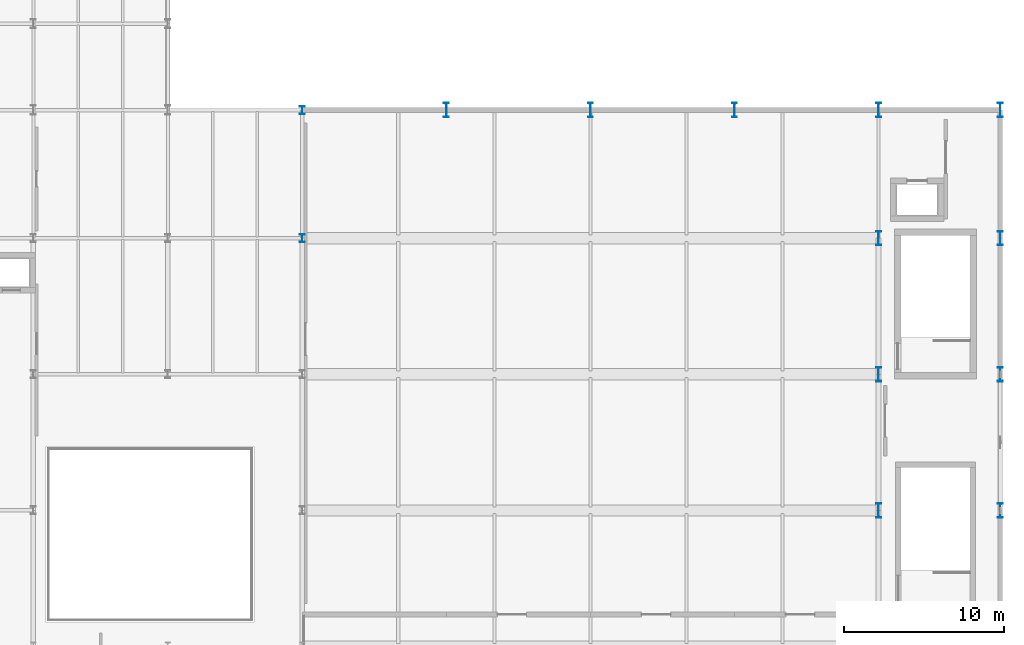
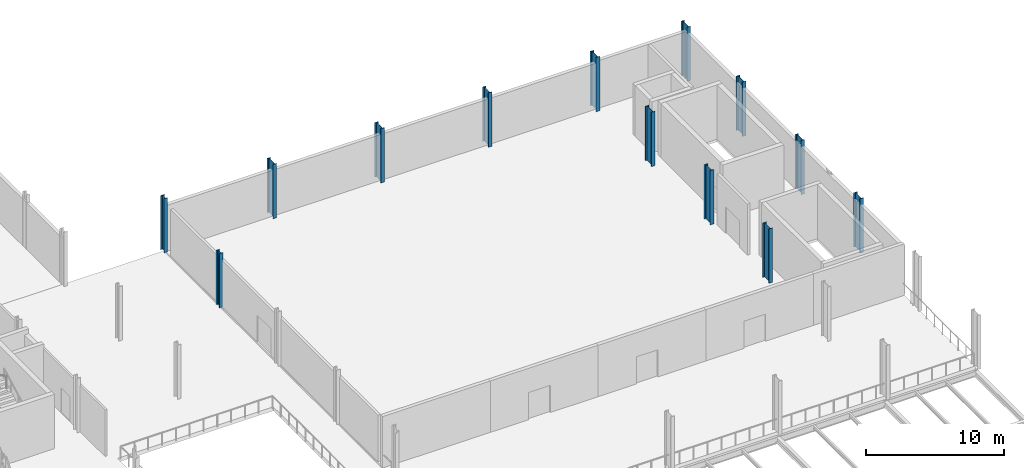
# One storey, part 14 of 63: 13 columns.
"""IFC4 building model written with IfcOpenShell, lengths in metres."""

from ifc_helpers import new_model, si_unit, direction, frame, origin, origin_2d, place, context, subcontext, project, spatial, i_section, extrude, material, material_profile, profile_set, type_object, element, save


model = new_model("IFC4")

# Units and contexts
model_context = context("Model", 3, precision=1e-05, world=origin(), true_north=direction((0.0, 1.0)))
body_context = subcontext(model_context, "Body", "Model", "MODEL_VIEW")
ifc_project = project(units=[si_unit("LENGTHUNIT", "METRE"), si_unit("AREAUNIT", "SQUARE_METRE"), si_unit("VOLUMEUNIT", "CUBIC_METRE"), si_unit("PLANEANGLEUNIT", "RADIAN"), si_unit("MASSUNIT", "GRAM", prefix="KILO")], contexts=[model_context])

# Site, building, storey
site_placement = place(None, origin())
site = spatial("IfcSite", under=ifc_project, at=site_placement, CompositionType="ELEMENT")
building_placement = place(site_placement, origin())
building = spatial("IfcBuilding", under=site, at=building_placement, Name="Sefraquen Railside Congress Hotel", CompositionType="ELEMENT")
storey_placement = place(building_placement, frame((0.0, 0.0, 11.39990234375)))
storey = spatial("IfcBuildingStorey", under=building, at=storey_placement, Name="L02", CompositionType="ELEMENT", Elevation=11.39990234375)

# Columns
ifc_material = material(Name="Steel S355JR", Category="steel")
ifc_material_profile_1 = material_profile(ifc_material, i_section(OverallWidth=0.300048828125, OverallDepth=0.5, WebThickness=0.014404296875, FlangeThickness=0.028076171875, FilletRadius=0.027099609375, at=origin_2d()), Name="HEB 500")
ifc_profile_set_1 = profile_set([ifc_material_profile_1], Name="Steel S355JR")
column_type_1 = type_object("IfcColumnType", Name="TC-HEB-500", PredefinedType="COLUMN", material=ifc_profile_set_1)
for number, where, z_axis, x_axis, name in (
    (1, (128.39990234375, 88.0, 0.0), (0.0, 0.0, 1.0), (1.0, 0.0, 0.0), "Structural column 17-L L02"),
    (2, (128.39990234375, 96.0, 0.0), (0.0, 0.0, 1.0), (1.0, 0.0, 0.0), "Structural column 17-M L02"),
):
    element("IfcColumn", number, at=place(storey_placement, frame(where, z_axis=z_axis, x_axis=x_axis)), inside=storey, type_object=column_type_1, Name=name, PredefinedType="COLUMN", context=body_context, shape_type="SweptSolid", body=[
        extrude(i_section(OverallWidth=0.300048828125, OverallDepth=0.5, WebThickness=0.014404296875, FlangeThickness=0.028076171875, FilletRadius=0.027099609375, at=origin_2d()), origin(), (0.0, 0.0, 1.0), 4.800048828125),
    ])
ifc_material_profile_2 = material_profile(ifc_material, i_section(OverallWidth=0.300048828125, OverallDepth=0.89990234375, WebThickness=0.0185546875, FlangeThickness=0.034912109375, FilletRadius=0.030029296875, at=origin_2d()), Name="HEB 900")
ifc_profile_set_2 = profile_set([ifc_material_profile_2], Name="Steel S355JR")
column_type_2 = type_object("IfcColumnType", Name="TC-HEB-900", PredefinedType="COLUMN", material=ifc_profile_set_2)
for number, where, z_axis, x_axis, name in (
    (3, (164.39990234375, 71.0, 0.0), (0.0, 0.0, 1.0), (1.0, 0.0, 0.0), "Structural column 21-J L02"),
    (4, (164.39990234375, 79.5, 0.0), (0.0, 0.0, 1.0), (1.0, 0.0, 0.0), "Structural column 21-K L02"),
    (5, (164.39990234375, 88.0, 0.0), (0.0, 0.0, 1.0), (1.0, 0.0, 0.0), "Structural column 21-L L02"),
    (6, (164.39990234375, 96.0, 0.0), (0.0, 0.0, 1.0), (1.0, 0.0, 0.0), "Structural column 21-M L02"),
    (7, (172.0, 71.0, 0.0), (0.0, 0.0, 1.0), (1.0, 0.0, 0.0), "Structural column 22-J L02"),
    (8, (172.0, 79.5, 0.0), (0.0, 0.0, 1.0), (1.0, 0.0, 0.0), "Structural column 22-K L02"),
    (9, (172.0, 88.0, 0.0), (0.0, 0.0, 1.0), (1.0, 0.0, 0.0), "Structural column 22-L L02"),
    (10, (172.0, 96.0, 0.0), (0.0, 0.0, 1.0), (1.0, 0.0, 0.0), "Structural column 22-M L02"),
    (11, (137.39990234375, 96.0, 0.0), (0.0, 0.0, 1.0), (1.0, 0.0, 0.0), "Structural column 18-M L02"),
    (12, (146.39990234375, 96.0, 0.0), (0.0, 0.0, 1.0), (1.0, 0.0, 0.0), "Structural column 19-M L02"),
    (13, (155.39990234375, 96.0, 0.0), (0.0, 0.0, 1.0), (1.0, 0.0, 0.0), "Structural column 20-M L02"),
):
    element("IfcColumn", number, at=place(storey_placement, frame(where, z_axis=z_axis, x_axis=x_axis)), inside=storey, type_object=column_type_2, Name=name, PredefinedType="COLUMN", context=body_context, shape_type="SweptSolid", body=[
        extrude(i_section(OverallWidth=0.300048828125, OverallDepth=0.89990234375, WebThickness=0.0185546875, FlangeThickness=0.034912109375, FilletRadius=0.030029296875, at=origin_2d()), origin(), (0.0, 0.0, 1.0), 4.800048828125),
    ])

save(model, "model.ifc")
